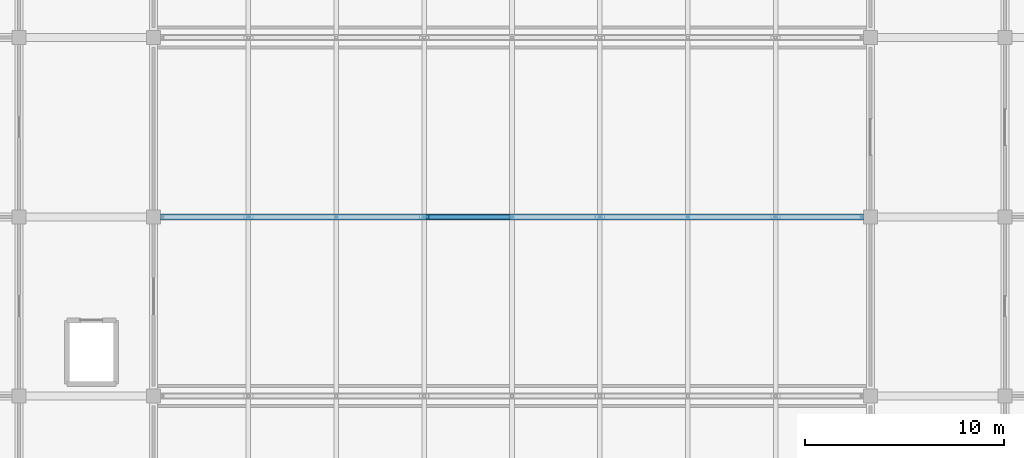
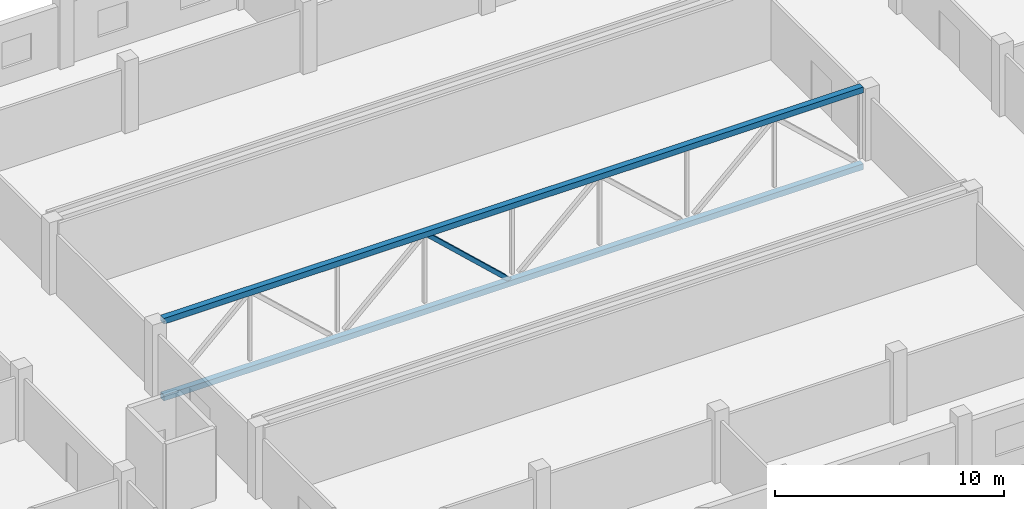
# One storey, part 9 of 42: 3 members.
"""IFC4 building model written with IfcOpenShell, lengths in metres."""

from ifc_helpers import new_model, si_unit, direction, frame, origin, origin_2d, place, context, subcontext, project, spatial, hollow_rectangle, extrude, material, material_profile, profile_set, type_object, element, save


model = new_model("IFC4")

# Units and contexts
model_context = context("Model", 3, precision=1e-05, world=origin(), true_north=direction((0.0, 1.0)))
body_context = subcontext(model_context, "Body", "Model", "MODEL_VIEW")
ifc_project = project(units=[si_unit("LENGTHUNIT", "METRE"), si_unit("AREAUNIT", "SQUARE_METRE"), si_unit("VOLUMEUNIT", "CUBIC_METRE"), si_unit("PLANEANGLEUNIT", "RADIAN"), si_unit("MASSUNIT", "GRAM", prefix="KILO")], contexts=[model_context])

# Site, building, storey
site_placement = place(None, origin())
site = spatial("IfcSite", under=ifc_project, at=site_placement, CompositionType="ELEMENT")
building_placement = place(site_placement, origin())
building = spatial("IfcBuilding", under=site, at=building_placement, Name="Corbel Stack Research Tower", CompositionType="ELEMENT")
storey_placement = place(building_placement, frame((0.0, 0.0, 11.300048828125)))
storey = spatial("IfcBuildingStorey", under=building, at=storey_placement, Name="L02", CompositionType="ELEMENT", Elevation=11.300048828125)

# Members
ifc_material_1 = material(Name="Steel S355", Category="steel")
ifc_material_profile_1 = material_profile(ifc_material_1, hollow_rectangle(XDim=0.304931640625, YDim=0.304931640625, WallThickness=0.014892578125, at=origin_2d()), Name="HSS12x12x5/8")
ifc_profile_set_1 = profile_set([ifc_material_profile_1], Name="Steel S355")
member_type_1 = type_object("IfcMemberType", Name="HT1 truss chord HSS12x12x5/8", PredefinedType="CHORD", material=ifc_profile_set_1)
for number, where, z_axis, x_axis, name in (
    (1, (51.300048828125, 0.0, -0.402587890625), (1.0, 0.0, 0.0), (0.0, 1.0, 0.0), "Truss TA2 bottom chord"),
    (2, (51.300048828125, 0.0, 3.697509765625), (1.0, 0.0, 0.0), (0.0, 1.0, 0.0), "Truss TA2 top chord"),
):
    element("IfcMember", number, at=place(storey_placement, frame(where, z_axis=z_axis, x_axis=x_axis)), inside=storey, type_object=member_type_1, Name=name, PredefinedType="CHORD", context=body_context, shape_type="SweptSolid", body=[
        extrude(hollow_rectangle(XDim=0.304931640625, YDim=0.304931640625, WallThickness=0.014892578125, at=origin_2d()), origin(), (0.0, 0.0, 1.0), 35.300048828125),
    ])
ifc_material_2 = material(Name="Steel S355", Category="steel")
ifc_material_profile_2 = material_profile(ifc_material_2, hollow_rectangle(XDim=0.202880859375, YDim=0.202880859375, WallThickness=0.0087890625, at=origin_2d()), Name="HSS8x8x3/8")
ifc_profile_set_2 = profile_set([ifc_material_profile_2], Name="Steel S355")
member_type_2 = type_object("IfcMemberType", Name="HT2 truss diagonal HSS8x8x3/8", PredefinedType="BRACE", material=ifc_profile_set_2)
member_placement = place(storey_placement, frame((64.70166015625, 0.0, 3.544921875), z_axis=(0.732576659872, 0.0, -0.680684535898), x_axis=(0.0, 1.0, 0.0)))
element("IfcMember", 3, at=member_placement, inside=storey, type_object=member_type_2, Name="Truss TA2 diagonal 4", PredefinedType="BRACE", context=body_context, shape_type="SweptSolid", body=[
    extrude(hollow_rectangle(XDim=0.202880859375, YDim=0.202880859375, WallThickness=0.0087890625, at=origin_2d()), origin(), (0.0, 0.0, 1.0), 5.5751953125),
])

save(model, "model.ifc")
